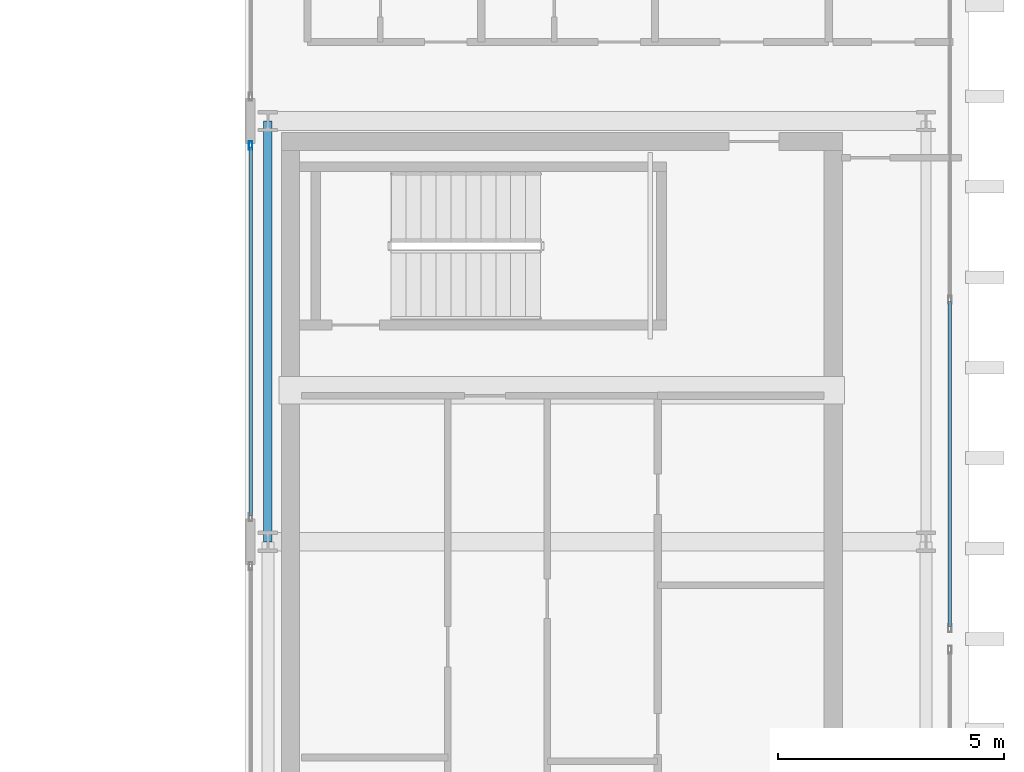
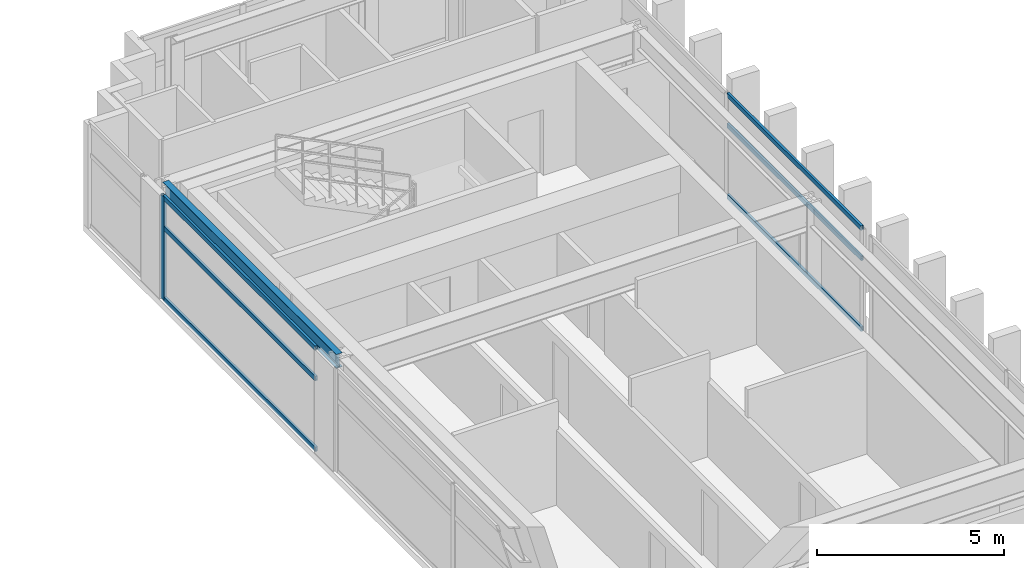
# One storey, part 12 of 25: 7 members, 1 beam, 2 elements without a shape of their own.
"""IFC4 building model written with IfcOpenShell, lengths in metres."""

import ifcopenshell
import ifcopenshell.guid

model = None  # the IFC model being written
_history = None  # IfcOwnerHistory: only IFC2X3 demands one
_inside = {}  # id of a spatial element -> (the spatial element, [elements in it])
_under = {}  # id of a project, library or spatial element -> (it, [spatial elements below it])
_declared = {}  # id of a project -> (the project, [libraries it declares])
_typed = {}  # id of a type object -> (the type object, [elements of that type])
_made_of = {}  # id of a material, layer set ... -> (it, [elements and type objects made of it])


def new_model(schema):
    """Start an empty IFC model of exactly this schema.

    Asked for "IFC4X3", IfcOpenShell would pick the latest addendum, in which some entities
    have other attributes; the version numbers below select the first issue.
    IFC2X3 requires an IfcOwnerHistory on every rooted entity: one is made here for all.
    """
    global model, _history
    if schema == "IFC4X3":
        model = ifcopenshell.file(schema_version=(4, 3, 0, 0))
    else:
        model = ifcopenshell.file(schema=schema)
    _inside.clear()
    _under.clear()
    _declared.clear()
    _typed.clear()
    _made_of.clear()
    _history = None
    if model.schema == "IFC2X3":
        org = make("IfcOrganization", Name="unknown")
        user = make(
            "IfcPersonAndOrganization",
            ThePerson=make("IfcPerson", FamilyName="unknown"),
            TheOrganization=org,
        )
        app = make(
            "IfcApplication",
            ApplicationDeveloper=org,
            Version="unknown",
            ApplicationFullName="unknown",
            ApplicationIdentifier="unknown",
        )
        _history = make(
            "IfcOwnerHistory",
            OwningUser=user,
            OwningApplication=app,
            ChangeAction="ADDED",
            CreationDate=0,
        )
    return model


def make(cls, **values):
    """One entity of the class cls with the attributes given. An attribute that is None is left unset."""
    return model.create_entity(
        cls, **{name: value for name, value in values.items() if value is not None}
    )


def rooted(cls, **values):
    """An entity with a GlobalId (a new one), such as an element, a storey or a relation."""
    return make(cls, GlobalId=ifcopenshell.guid.new(), OwnerHistory=_history, **values)


def si_unit(unit_type, name, prefix=None):
    """IfcSIUnit, for example si_unit("LENGTHUNIT", "METRE", prefix="MILLI")."""
    return make("IfcSIUnit", UnitType=unit_type, Prefix=prefix, Name=name)


def assignment(units):
    """IfcUnitAssignment: the units of a project."""
    return None if units is None else make("IfcUnitAssignment", Units=units)


def point(xyz):
    """IfcCartesianPoint."""
    return None if xyz is None else make("IfcCartesianPoint", Coordinates=xyz)


def direction(xyz):
    """IfcDirection."""
    return None if xyz is None else make("IfcDirection", DirectionRatios=xyz)


def frame(location, z_axis=None, x_axis=None):
    """IfcAxis2Placement3D, a coordinate frame: its origin and axes. An axis left out is left unset."""
    return make(
        "IfcAxis2Placement3D",
        Location=point(location),
        Axis=direction(z_axis),
        RefDirection=direction(x_axis),
    )


def frame_2d(location, x_axis=None):
    """IfcAxis2Placement2D, a coordinate frame in the plane: its origin and x axis."""
    return make(
        "IfcAxis2Placement2D", Location=point(location), RefDirection=direction(x_axis)
    )


def origin():
    """The frame at (0, 0, 0) with its axes left unset."""
    return frame((0.0, 0.0, 0.0))


def origin_2d():
    """The frame at (0, 0) in the plane with its x axis left unset."""
    return frame_2d((0.0, 0.0))


def place(relative_to, where):
    """IfcLocalPlacement: puts the frame where relative to a parent placement (None: the world)."""
    return make(
        "IfcLocalPlacement", PlacementRelTo=relative_to, RelativePlacement=where
    )


def context(
    kind, dimensions, precision=None, world=None, true_north=None, identifier=None
):
    """IfcGeometricRepresentationContext, for example the 3D "Model" context."""
    return make(
        "IfcGeometricRepresentationContext",
        ContextIdentifier=identifier,
        ContextType=kind,
        CoordinateSpaceDimension=dimensions,
        Precision=precision,
        WorldCoordinateSystem=world,
        TrueNorth=true_north,
    )


def subcontext(parent, identifier, kind, view, scale=None):
    """IfcGeometricRepresentationSubContext, for example "Body" below "Model"."""
    return make(
        "IfcGeometricRepresentationSubContext",
        ContextIdentifier=identifier,
        ContextType=kind,
        ParentContext=parent,
        TargetScale=scale,
        TargetView=view,
    )


def project(units=None, contexts=None):
    """IfcProject with its units and contexts."""
    return rooted(
        "IfcProject",
        Name="project",
        RepresentationContexts=contexts,
        UnitsInContext=assignment(units),
    )


def spatial(cls, under=None, at=None, **own):
    """A site, building, storey or space (cls), placed at a placement, below another one or the project."""
    s = rooted(cls, ObjectPlacement=at, **own)
    if under is not None:
        _under.setdefault(under.id(), (under, []))[1].append(s)
    return s


def profile(cls, at=None, kind="AREA", **sizes):
    """A parametric profile (cls). Its sizes go by their IFC names, for example OverallWidth=200.0."""
    return make(cls, ProfileType=kind, Position=at, **sizes)


def hollow_rectangle(**sizes):
    """IfcRectangleHollowProfileDef."""
    return profile("IfcRectangleHollowProfileDef", **sizes)


def i_section(**sizes):
    """IfcIShapeProfileDef."""
    return profile("IfcIShapeProfileDef", **sizes)


def extrude(swept, where, along, depth):
    """IfcExtrudedAreaSolid: the profile swept, set in the frame where, extruded along a direction by depth."""
    return make(
        "IfcExtrudedAreaSolid",
        SweptArea=swept,
        Position=where,
        ExtrudedDirection=direction(along),
        Depth=depth,
    )


def shape(context_of_items, identifier, shape_type, items):
    """IfcShapeRepresentation: the items that make up one representation, for example the "Body"."""
    return make(
        "IfcShapeRepresentation",
        ContextOfItems=context_of_items,
        RepresentationIdentifier=identifier,
        RepresentationType=shape_type,
        Items=items,
    )


def source(mapping_origin, context_of_items, identifier, shape_type, items):
    """IfcRepresentationMap: a shape defined once, which mapped items show again and again."""
    return make(
        "IfcRepresentationMap",
        MappingOrigin=mapping_origin,
        MappedRepresentation=shape(context_of_items, identifier, shape_type, items),
    )


def transform(
    local_origin,
    x_axis=None,
    y_axis=None,
    z_axis=None,
    scale=None,
    scale2=None,
    scale3=None,
    uniform=True,
):
    """IfcCartesianTransformationOperator3D, or its non-uniform kind. x_axis, y_axis, z_axis: its Axis1, 2, 3."""
    if uniform:
        return make(
            "IfcCartesianTransformationOperator3D",
            Axis1=direction(x_axis),
            Axis2=direction(y_axis),
            LocalOrigin=point(local_origin),
            Scale=scale,
            Axis3=direction(z_axis),
        )
    return make(
        "IfcCartesianTransformationOperator3DnonUniform",
        Axis1=direction(x_axis),
        Axis2=direction(y_axis),
        LocalOrigin=point(local_origin),
        Scale=scale,
        Axis3=direction(z_axis),
        Scale2=scale2,
        Scale3=scale3,
    )


def mapped(mapping_source, mapping_target):
    """IfcMappedItem: shows the shape of a source again, moved by a transform."""
    return make(
        "IfcMappedItem", MappingSource=mapping_source, MappingTarget=mapping_target
    )


def material(Name=None, Category=None):
    """IfcMaterial."""
    return make("IfcMaterial", Name=Name, Category=Category)


def layer(
    of_material, thickness, ventilated=None, Name=None, Category=None, Priority=None
):
    """IfcMaterialLayer: one layer of a wall or slab, of a material (None: an air gap)."""
    return make(
        "IfcMaterialLayer",
        Material=of_material,
        LayerThickness=thickness,
        IsVentilated=ventilated,
        Name=Name,
        Category=Category,
        Priority=Priority,
    )


def layer_set(layers, Name=None):
    """IfcMaterialLayerSet."""
    return make("IfcMaterialLayerSet", MaterialLayers=layers, LayerSetName=Name)


def material_profile(
    of_material, cross_section, Name=None, Category=None, Priority=None
):
    """IfcMaterialProfile: a cross section and its material."""
    return make(
        "IfcMaterialProfile",
        Name=Name,
        Material=of_material,
        Profile=cross_section,
        Priority=Priority,
        Category=Category,
    )


def profile_set(profiles, Name=None, composite=None):
    """IfcMaterialProfileSet."""
    return make(
        "IfcMaterialProfileSet",
        Name=Name,
        MaterialProfiles=profiles,
        CompositeProfile=composite,
    )


def made_of(thing, what):
    """Note that an element or type object is made of a material, layer set ...; save() writes the relation."""
    if what is not None:
        _made_of.setdefault(what.id(), (what, []))[1].append(thing)
    return thing


def type_object(cls, material=None, **own):
    """A type object (cls), such as IfcWallType, which elements share."""
    return made_of(rooted(cls, **own), material)


def element(
    cls,
    number,
    at=None,
    inside=None,
    cuts=None,
    type_object=None,
    material=None,
    context=None,
    identifier="Body",
    shape_type=None,
    held_by="IfcProductDefinitionShape",
    body=None,
    shapes=None,
    **own,
):
    """One element of the class cls, such as IfcWall. Its Tag is "e" and its number.

    at: its placement. inside: the storey or other place that contains it. cuts: it is an
    opening in that element (IfcRelVoidsElement). A single representation is given by context,
    identifier, shape_type and body (its items); several are given by shapes. held_by: the class
    of the entity that holds the representations. save() writes the other relations.
    """
    e = rooted(cls, Tag="e%d" % number, ObjectPlacement=at, **own)
    if body is not None:
        shapes = [shape(context, identifier, shape_type, body)]
    if shapes is not None:
        e.Representation = make(held_by, Representations=shapes)
    if inside is not None:
        _inside.setdefault(inside.id(), (inside, []))[1].append(e)
    if cuts is not None:
        rooted(
            "IfcRelVoidsElement", RelatingBuildingElement=cuts, RelatedOpeningElement=e
        )
    if type_object is not None:
        _typed.setdefault(type_object.id(), (type_object, []))[1].append(e)
    return made_of(e, material)


def aggregate(whole, parts):
    """IfcRelAggregates: a whole, such as a stair, and the parts it consists of."""
    return rooted("IfcRelAggregates", RelatingObject=whole, RelatedObjects=parts)


def save(model, path):
    """Write the relations noted so far, then the file.

    IfcRelAggregates (storeys below a building ...), IfcRelContainedInSpatialStructure (elements
    in a storey), IfcRelDefinesByType, IfcRelAssociatesMaterial and IfcRelDeclares: one each for
    every whole, place, type object, material and project.
    """
    for whole, parts in _under.values():
        aggregate(whole, parts)
    for where, things in _inside.values():
        rooted(
            "IfcRelContainedInSpatialStructure",
            RelatedElements=things,
            RelatingStructure=where,
        )
    for kind, things in _typed.values():
        rooted("IfcRelDefinesByType", RelatedObjects=things, RelatingType=kind)
    for what, things in _made_of.values():
        rooted("IfcRelAssociatesMaterial", RelatedObjects=things, RelatingMaterial=what)
    for by, libraries in _declared.values():
        rooted("IfcRelDeclares", RelatingContext=by, RelatedDefinitions=libraries)
    model.write(path)


model = new_model("IFC4")

# Units and contexts
model_context = context("Model", 3, precision=1e-05, world=origin(), true_north=direction((0.0, 1.0)))
body_context = subcontext(model_context, "Body", "Model", "MODEL_VIEW")
ifc_project = project(units=[si_unit("LENGTHUNIT", "METRE"), si_unit("AREAUNIT", "SQUARE_METRE"), si_unit("VOLUMEUNIT", "CUBIC_METRE"), si_unit("PLANEANGLEUNIT", "RADIAN"), si_unit("MASSUNIT", "GRAM", prefix="KILO")], contexts=[model_context])

# Site, building, storey
site_placement = place(None, origin())
site = spatial("IfcSite", under=ifc_project, at=site_placement, CompositionType="ELEMENT")
building_placement = place(site_placement, origin())
building = spatial("IfcBuilding", under=site, at=building_placement, Name="Ocotamira Hotel", CompositionType="ELEMENT")
storey_placement = place(building_placement, frame((0.0, 0.0, 265.199951171875)))
storey = spatial("IfcBuildingStorey", under=building, at=storey_placement, Name="L67", CompositionType="ELEMENT", Elevation=265.199951171875)

# Beam
ifc_material_1 = material(Name="Steel ASTM A992 Grade 50", Category="steel")
ifc_material_profile_1 = material_profile(ifc_material_1, i_section(OverallWidth=0.18994140625, OverallDepth=0.45703125, WebThickness=0.009033203125, FlangeThickness=0.014404296875, FilletRadius=0.010009765625, at=origin_2d()), Name="W18X50")
ifc_profile_set_1 = profile_set([ifc_material_profile_1], Name="Steel ASTM A992 Grade 50")
beam_type = type_object("IfcBeamType", Name="BM-SEC-W18X50", PredefinedType="JOIST", material=ifc_profile_set_1)
shared_shape_1 = source(origin(), body_context, "Body", "SweptSolid", [
    extrude(i_section(OverallWidth=0.18994140625, OverallDepth=0.45703125, WebThickness=0.009033203125, FlangeThickness=0.014404296875, FilletRadius=0.010009765625, at=origin_2d()), origin(), (0.0, 0.0, 1.0), 9.300048828125),
])
beam_placement = place(storey_placement, frame((40.5, 28.14990234375, 3.151611328125), z_axis=(0.0, 1.0, 0.0), x_axis=(-1.0, 0.0, 0.0)))
element("IfcBeam", 1, at=beam_placement, inside=storey, type_object=beam_type, Name="L67 Beam X40.5 Y28.15-37.45", PredefinedType="JOIST", context=body_context, shape_type="MappedRepresentation", body=[
    mapped(shared_shape_1, transform((0.0, 0.0, 0.0), scale=1.0)),
])

# Curtain wall, member
ifc_material_2 = material(Name="Anodised pale-metal aluminium and solar glass", Category="aluminium")
ifc_layer = layer(ifc_material_2, 0.2099609375)
ifc_layer_set = layer_set([ifc_layer], Name="Anodised pale-metal aluminium and solar glass")
curtain_wall_type = type_object("IfcCurtainWallType", Name="CW-SYS7-PEAK", PredefinedType="NOTDEFINED", material=ifc_layer_set)
curtain_wall_1_placement = place(storey_placement, origin())
curtain_wall_1 = element("IfcCurtainWall", 2, at=curtain_wall_1_placement, inside=storey, type_object=curtain_wall_type, Name="L67 Curtain Wall CW-7 CW-L67-EI3", PredefinedType="NOTDEFINED")
ifc_material_3 = material(Name="Anodised pale-metal aluminium 6063-T6", Category="aluminium")
ifc_material_profile_2 = material_profile(ifc_material_3, hollow_rectangle(XDim=0.080078125, YDim=0.179931640625, WallThickness=0.006103515625, at=origin_2d()), Name="HSS180X80X6")
ifc_profile_set_2 = profile_set([ifc_material_profile_2], Name="Anodised pale-metal aluminium 6063-T6")
member_type_1 = type_object("IfcMemberType", Name="CWM-180X75", PredefinedType="MULLION", material=ifc_profile_set_2)
shared_shape_2 = source(origin(), body_context, "Body", "SweptSolid", [
    extrude(hollow_rectangle(XDim=0.080078125, YDim=0.179931640625, WallThickness=0.006103515625, at=origin_2d()), origin(), (0.0, 0.0, 1.0), 3.380126953125),
])
member_1_placement = place(storey_placement, frame((40.1201171875, 36.909912109375, 0.0), z_axis=(0.0, 0.0, 1.0), x_axis=(-1.0, 0.0, 0.0)))
member_1 = element("IfcMember", 3, at=member_1_placement, type_object=member_type_1, Name="CW-7 mullion 2", PredefinedType="MULLION", context=body_context, shape_type="MappedRepresentation", body=[
    mapped(shared_shape_2, transform((0.0, 0.0, 0.0), scale=1.0)),
])

# Curtain wall, members
curtain_wall_2_placement = place(storey_placement, origin())
curtain_wall_2 = element("IfcCurtainWall", 4, at=curtain_wall_2_placement, inside=storey, type_object=curtain_wall_type, Name="L67 Curtain Wall CW-7 CW-L67-EO2", PredefinedType="NOTDEFINED")
ifc_material_profile_3 = material_profile(ifc_material_3, hollow_rectangle(XDim=0.074951171875, YDim=0.14990234375, WallThickness=0.006103515625, at=origin_2d()), Name="HSS150X75X6")
ifc_profile_set_3 = profile_set([ifc_material_profile_3], Name="Anodised pale-metal aluminium 6063-T6")
member_type_2 = type_object("IfcMemberType", Name="CWT-150X75", PredefinedType="USERDEFINED", material=ifc_profile_set_3)
shared_shape_3 = source(origin(), body_context, "Body", "SweptSolid", [
    extrude(hollow_rectangle(XDim=0.074951171875, YDim=0.14990234375, WallThickness=0.006103515625, at=origin_2d()), origin(), (0.0, 0.0, 1.0), 7.179931640625),
])
member_2_placement = place(storey_placement, frame((55.580078125, 26.280029296875, 0.03759765625), z_axis=(0.0, 1.0, 0.0), x_axis=(-1.0, 0.0, 0.0)))
member_2 = element("IfcMember", 5, at=member_2_placement, type_object=member_type_2, Name="CW-7 transom 1.1", ObjectType="TRANSOM", PredefinedType="USERDEFINED", context=body_context, shape_type="MappedRepresentation", body=[
    mapped(shared_shape_3, transform((0.0, 0.0, 0.0), scale=1.0)),
])
member_3_placement = place(storey_placement, frame((55.580078125, 26.280029296875, 2.35009765625), z_axis=(0.0, 1.0, 0.0), x_axis=(-1.0, 0.0, 0.0)))
member_3 = element("IfcMember", 6, at=member_3_placement, type_object=member_type_2, Name="CW-7 transom 1.2", ObjectType="TRANSOM", PredefinedType="USERDEFINED", context=body_context, shape_type="MappedRepresentation", body=[
    mapped(shared_shape_3, transform((0.0, 0.0, 0.0), scale=1.0)),
])
member_4_placement = place(storey_placement, frame((55.580078125, 26.280029296875, 3.342529296875), z_axis=(0.0, 1.0, 0.0), x_axis=(-1.0, 0.0, 0.0)))
member_4 = element("IfcMember", 7, at=member_4_placement, type_object=member_type_2, Name="CW-7 transom 1.3", ObjectType="TRANSOM", PredefinedType="USERDEFINED", context=body_context, shape_type="MappedRepresentation", body=[
    mapped(shared_shape_3, transform((0.0, 0.0, 0.0), scale=1.0)),
])
aggregate(curtain_wall_2, [member_2, member_3, member_4])

# Member
shared_shape_4 = source(origin(), body_context, "Body", "SweptSolid", [
    extrude(hollow_rectangle(XDim=0.074951171875, YDim=0.14990234375, WallThickness=0.006103515625, at=origin_2d()), origin(), (0.0, 0.0, 1.0), 8.14013671875),
])
member_5_placement = place(storey_placement, frame((40.1201171875, 28.72998046875, 0.03759765625), z_axis=(0.0, 1.0, 0.0), x_axis=(-1.0, 0.0, 0.0)))
member_5 = element("IfcMember", 8, at=member_5_placement, type_object=member_type_2, Name="CW-7 transom 1.1", ObjectType="TRANSOM", PredefinedType="USERDEFINED", context=body_context, shape_type="MappedRepresentation", body=[
    mapped(shared_shape_4, transform((0.0, 0.0, 0.0), scale=1.0)),
])

member_6_placement = place(storey_placement, frame((40.1201171875, 28.72998046875, 2.35009765625), z_axis=(0.0, 1.0, 0.0), x_axis=(-1.0, 0.0, 0.0)))
member_6 = element("IfcMember", 9, at=member_6_placement, type_object=member_type_2, Name="CW-7 transom 1.2", ObjectType="TRANSOM", PredefinedType="USERDEFINED", context=body_context, shape_type="MappedRepresentation", body=[
    mapped(shared_shape_4, transform((0.0, 0.0, 0.0), scale=1.0)),
])

member_7_placement = place(storey_placement, frame((40.1201171875, 28.72998046875, 3.342529296875), z_axis=(0.0, 1.0, 0.0), x_axis=(-1.0, 0.0, 0.0)))
member_7 = element("IfcMember", 10, at=member_7_placement, type_object=member_type_2, Name="CW-7 transom 1.3", ObjectType="TRANSOM", PredefinedType="USERDEFINED", context=body_context, shape_type="MappedRepresentation", body=[
    mapped(shared_shape_4, transform((0.0, 0.0, 0.0), scale=1.0)),
])

aggregate(curtain_wall_1, [member_1, member_5, member_6, member_7])

save(model, "model.ifc")
